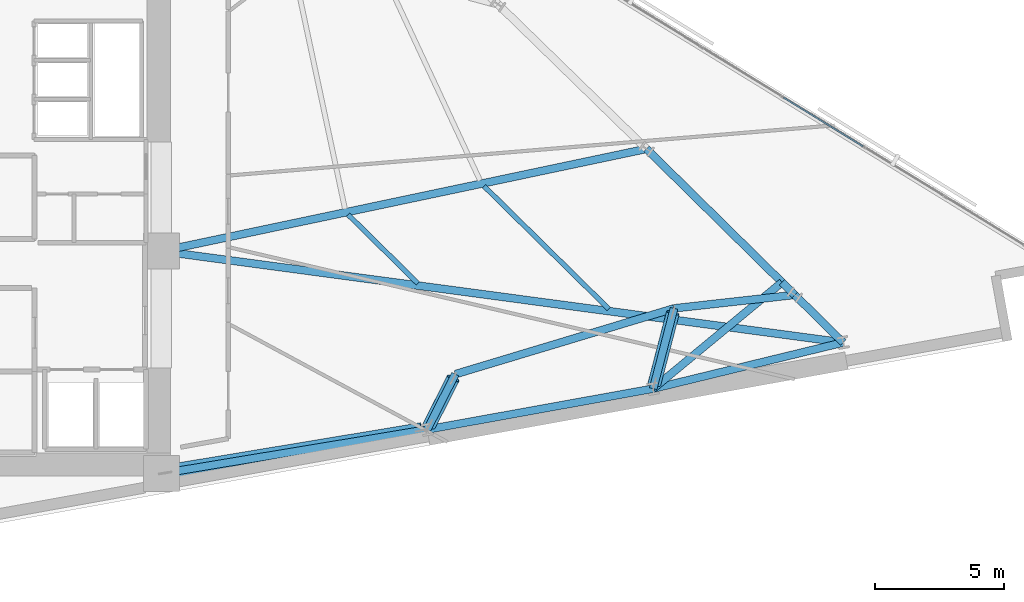
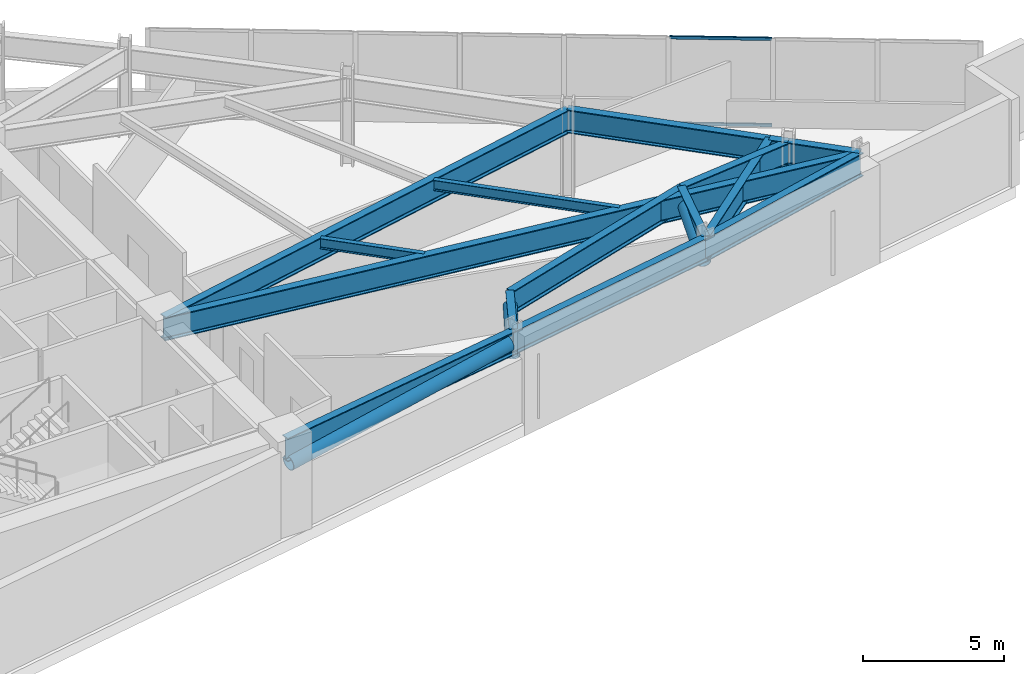
# One storey, part 3 of 19: 15 beams, 5 members, 1 element without a shape of its own.
"""IFC4 building model written with IfcOpenShell, lengths in metres."""

from ifc_helpers import new_model, si_unit, direction, frame, origin, origin_2d, place, context, subcontext, project, spatial, hollow_rectangle, hollow_circle, i_section, extrude, material, material_profile, profile_set, type_object, element, aggregate, save


model = new_model("IFC4")

# Units and contexts
model_context = context("Model", 3, precision=1e-05, world=origin(), true_north=direction((0.0, 1.0)))
body_context = subcontext(model_context, "Body", "Model", "MODEL_VIEW")
ifc_project = project(units=[si_unit("LENGTHUNIT", "METRE"), si_unit("AREAUNIT", "SQUARE_METRE"), si_unit("VOLUMEUNIT", "CUBIC_METRE"), si_unit("PLANEANGLEUNIT", "RADIAN"), si_unit("MASSUNIT", "GRAM", prefix="KILO")], contexts=[model_context])

# Site, building, storey
site_placement = place(None, origin())
site = spatial("IfcSite", under=ifc_project, at=site_placement, CompositionType="ELEMENT")
building_placement = place(site_placement, origin())
building = spatial("IfcBuilding", under=site, at=building_placement, Name="Narakoshi Arena Tower", CompositionType="ELEMENT")
storey_placement = place(building_placement, frame((0.0, 0.0, 128.10009765625)))
storey = spatial("IfcBuildingStorey", under=building, at=storey_placement, Name="L34", CompositionType="ELEMENT", Elevation=128.10009765625)

# Beams
ifc_material_1 = material(Name="Structural steel S355J2", Category="steel")
ifc_material_profile_1 = material_profile(ifc_material_1, i_section(OverallWidth=0.18994140625, OverallDepth=0.449951171875, WebThickness=0.009521484375, FlangeThickness=0.0146484375, FilletRadius=0.02099609375, at=origin_2d()), Name="IPE450")
ifc_profile_set_1 = profile_set([ifc_material_profile_1], Name="Structural steel S355J2")
beam_type_1 = type_object("IfcBeamType", Name="BM-SEC-450", PredefinedType="JOIST", material=ifc_profile_set_1)
beam_1_placement = place(storey_placement, frame((95.531494140625, 42.094970703125, 3.574951171875), z_axis=(-0.712564847826, 0.701606255419, 0.0), x_axis=(-0.701606255419, -0.712564847826, 0.0)))
element("IfcBeam", 1, at=beam_1_placement, inside=storey, type_object=beam_type_1, Name="L34 Composite Secondary Floor Joist 01", PredefinedType="JOIST", context=body_context, shape_type="SweptSolid", body=[
    extrude(i_section(OverallWidth=0.18994140625, OverallDepth=0.449951171875, WebThickness=0.009521484375, FlangeThickness=0.0146484375, FilletRadius=0.02099609375, at=origin_2d()), origin(), (0.0, 0.0, 1.0), 3.8095703125),
])
beam_2_placement = place(storey_placement, frame((102.957275390625, 41.100341796875, 3.574951171875), z_axis=(-0.712565992933, 0.701605092424, 0.0), x_axis=(-0.701605092424, -0.712565992933, 0.0)))
element("IfcBeam", 2, at=beam_2_placement, inside=storey, type_object=beam_type_1, Name="L34 Composite Secondary Floor Joist 02", PredefinedType="JOIST", context=body_context, shape_type="SweptSolid", body=[
    extrude(i_section(OverallWidth=0.18994140625, OverallDepth=0.449951171875, WebThickness=0.009521484375, FlangeThickness=0.0146484375, FilletRadius=0.02099609375, at=origin_2d()), origin(), (0.0, 0.0, 1.0), 6.815673828125),
])
ifc_material_2 = material(Name="Structural steel S460ML", Category="steel")
ifc_material_profile_2 = material_profile(ifc_material_2, i_section(OverallWidth=0.302001953125, OverallDepth=1.008056640625, WebThickness=0.02099609375, FlangeThickness=0.0400390625, FilletRadius=0.030029296875, at=origin_2d()), Name="HE1000M")
ifc_profile_set_2 = profile_set([ifc_material_profile_2], Name="Structural steel S460ML")
beam_type_2 = type_object("IfcBeamType", Name="BM-XFER-1000", PredefinedType="BEAM", material=ifc_profile_set_2)
beam_3_placement = place(storey_placement, frame((95.89013671875, 36.411865234375, 3.2958984375), z_axis=(0.984043032412, 0.177930633565, 0.0), x_axis=(-0.177930633565, 0.984043032412, 0.0)))
element("IfcBeam", 3, at=beam_3_placement, inside=storey, type_object=beam_type_2, Name="L34 Perimeter Transfer Ring Girder 01", PredefinedType="BEAM", context=body_context, shape_type="SweptSolid", body=[
    extrude(i_section(OverallWidth=0.302001953125, OverallDepth=1.008056640625, WebThickness=0.02099609375, FlangeThickness=0.0400390625, FilletRadius=0.030029296875, at=origin_2d()), origin(), (0.0, 0.0, 1.0), 8.933837890625),
])
beam_4_placement = place(storey_placement, frame((104.681396484375, 38.00146484375, 3.2958984375), z_axis=(0.971695296423, 0.236237700019, 0.0), x_axis=(-0.236237700019, 0.971695296423, 0.0)))
element("IfcBeam", 4, at=beam_4_placement, inside=storey, type_object=beam_type_2, Name="L34 Perimeter Transfer Ring Girder 02", PredefinedType="BEAM", context=body_context, shape_type="SweptSolid", body=[
    extrude(i_section(OverallWidth=0.302001953125, OverallDepth=1.008056640625, WebThickness=0.02099609375, FlangeThickness=0.0400390625, FilletRadius=0.030029296875, at=origin_2d()), origin(), (0.0, 0.0, 1.0), 7.604248046875),
])
beam_5_placement = place(storey_placement, frame((112.0703125, 39.7978515625, 3.2958984375), z_axis=(-0.712541924106, 0.70162953643, 0.0), x_axis=(-0.70162953643, -0.712541924106, 0.0)))
element("IfcBeam", 5, at=beam_5_placement, inside=storey, type_object=beam_type_2, Name="L34 Perimeter Transfer Ring Girder 03", PredefinedType="BEAM", context=body_context, shape_type="SweptSolid", body=[
    extrude(i_section(OverallWidth=0.302001953125, OverallDepth=1.008056640625, WebThickness=0.02099609375, FlangeThickness=0.0400390625, FilletRadius=0.030029296875, at=origin_2d()), origin(), (0.0, 0.0, 1.0), 2.639892578125),
])
beam_6_placement = place(storey_placement, frame((110.189208984375, 41.650146484375, 3.2958984375), z_axis=(-0.712543857268, 0.701627573196, 0.0), x_axis=(-0.701627573196, -0.712543857268, 0.0)))
element("IfcBeam", 6, at=beam_6_placement, inside=storey, type_object=beam_type_2, Name="L34 Perimeter Transfer Ring Girder 04", PredefinedType="BEAM", context=body_context, shape_type="SweptSolid", body=[
    extrude(i_section(OverallWidth=0.302001953125, OverallDepth=1.008056640625, WebThickness=0.02099609375, FlangeThickness=0.0400390625, FilletRadius=0.030029296875, at=origin_2d()), origin(), (0.0, 0.0, 1.0), 8.095947265625),
])
beam_7_placement = place(storey_placement, frame((85.550048828125, 34.699951171875, 3.2958984375), z_axis=(0.986570261116, 0.163337441762, 0.0), x_axis=(-0.163337441762, 0.986570261116, 0.0)))
element("IfcBeam", 7, at=beam_7_placement, inside=storey, type_object=beam_type_2, Name="L34 Lower Transfer Radial Girder 01", PredefinedType="BEAM", context=body_context, shape_type="SweptSolid", body=[
    extrude(i_section(OverallWidth=0.302001953125, OverallDepth=1.008056640625, WebThickness=0.02099609375, FlangeThickness=0.0400390625, FilletRadius=0.030029296875, at=origin_2d()), origin(), (0.0, 0.0, 1.0), 10.48095703125),
])
beam_8_placement = place(storey_placement, frame((95.89013671875, 36.411865234375, 3.2958984375), z_axis=(0.453106470933, 0.891456407234, 0.0), x_axis=(-0.891456407234, 0.453106470933, 0.0)))
element("IfcBeam", 8, at=beam_8_placement, inside=storey, type_object=beam_type_2, Name="L34 Block-Turn Transfer Node Girder 01-1", PredefinedType="BEAM", context=body_context, shape_type="SweptSolid", body=[
    extrude(i_section(OverallWidth=0.302001953125, OverallDepth=1.008056640625, WebThickness=0.02099609375, FlangeThickness=0.0400390625, FilletRadius=0.030029296875, at=origin_2d()), origin(), (0.0, 0.0, 1.0), 2.41552734375),
])
beam_9_placement = place(storey_placement, frame((104.681396484375, 38.00146484375, 3.2958984375), z_axis=(0.251581437198, 0.967836133061, 0.0), x_axis=(-0.967836133061, 0.251581437198, 0.0)))
element("IfcBeam", 9, at=beam_9_placement, inside=storey, type_object=beam_type_2, Name="L34 Block-Turn Transfer Node Girder 02-1", PredefinedType="BEAM", context=body_context, shape_type="SweptSolid", body=[
    extrude(i_section(OverallWidth=0.302001953125, OverallDepth=1.008056640625, WebThickness=0.02099609375, FlangeThickness=0.0400390625, FilletRadius=0.030029296875, at=origin_2d()), origin(), (0.0, 0.0, 1.0), 3.228515625),
])
beam_10_placement = place(storey_placement, frame((110.189208984375, 41.650146484375, 3.2958984375), z_axis=(-0.993832585367, -0.110890902522, 0.0), x_axis=(0.110890902522, -0.993832585367, 0.0)))
element("IfcBeam", 10, at=beam_10_placement, inside=storey, type_object=beam_type_2, Name="L34 Block-Turn Transfer Node Girder 02-2", PredefinedType="BEAM", context=body_context, shape_type="SweptSolid", body=[
    extrude(i_section(OverallWidth=0.302001953125, OverallDepth=1.008056640625, WebThickness=0.02099609375, FlangeThickness=0.0400390625, FilletRadius=0.030029296875, at=origin_2d()), origin(), (0.0, 0.0, 1.0), 4.724609375),
])
beam_11_placement = place(storey_placement, frame((110.189208984375, 41.650146484375, 3.2958984375), z_axis=(-0.712515625622, 0.701656242931, 0.0), x_axis=(-0.701656242931, -0.712515625622, 0.0)))
element("IfcBeam", 11, at=beam_11_placement, inside=storey, type_object=beam_type_2, Name="L34 Block-Turn Transfer Node Girder 03-1", PredefinedType="BEAM", context=body_context, shape_type="SweptSolid", body=[
    extrude(i_section(OverallWidth=0.302001953125, OverallDepth=1.008056640625, WebThickness=0.02099609375, FlangeThickness=0.0400390625, FilletRadius=0.030029296875, at=origin_2d()), origin(), (0.0, 0.0, 1.0), 0.697021484375),
])
beam_12_placement = place(storey_placement, frame((104.681396484375, 38.00146484375, 3.2958984375), z_axis=(0.771114110806, 0.636696967258, 0.0), x_axis=(-0.636696967258, 0.771114110806, 0.0)))
element("IfcBeam", 12, at=beam_12_placement, inside=storey, type_object=beam_type_2, Name="L34 Block-Turn Transfer Node Girder 03-2", PredefinedType="BEAM", context=body_context, shape_type="SweptSolid", body=[
    extrude(i_section(OverallWidth=0.302001953125, OverallDepth=1.008056640625, WebThickness=0.02099609375, FlangeThickness=0.0400390625, FilletRadius=0.030029296875, at=origin_2d()), origin(), (0.0, 0.0, 1.0), 6.498779296875),
])
beam_13_placement = place(storey_placement, frame((96.984619140625, 38.565185546875, 3.2958984375), z_axis=(0.957568042752, 0.288207292585, 0.0), x_axis=(-0.288207292585, 0.957568042752, 0.0)))
element("IfcBeam", 13, at=beam_13_placement, inside=storey, type_object=beam_type_2, Name="L34 Upper-Block Transfer Ring Girder 01", PredefinedType="BEAM", context=body_context, shape_type="SweptSolid", body=[
    extrude(i_section(OverallWidth=0.302001953125, OverallDepth=1.008056640625, WebThickness=0.02099609375, FlangeThickness=0.0400390625, FilletRadius=0.030029296875, at=origin_2d()), origin(), (0.0, 0.0, 1.0), 8.885986328125),
])
beam_14_placement = place(storey_placement, frame((85.550048828125, 43.35009765625, 3.2958984375), z_axis=(0.991148352242, -0.132758968996, 0.0), x_axis=(0.132758968996, 0.991148352242, 0.0)))
element("IfcBeam", 14, at=beam_14_placement, inside=storey, type_object=beam_type_2, Name="L34 Radial Primary Floor Girder 03", PredefinedType="BEAM", context=body_context, shape_type="SweptSolid", body=[
    extrude(i_section(OverallWidth=0.302001953125, OverallDepth=1.008056640625, WebThickness=0.02099609375, FlangeThickness=0.0400390625, FilletRadius=0.030029296875, at=origin_2d()), origin(), (0.0, 0.0, 1.0), 26.757080078125),
])
beam_15_placement = place(storey_placement, frame((85.550048828125, 43.35009765625, 3.2958984375), z_axis=(0.978468582694, 0.206395815562, 0.0), x_axis=(-0.206395815562, 0.978468582694, 0.0)))
element("IfcBeam", 15, at=beam_15_placement, inside=storey, type_object=beam_type_2, Name="L34 Radial Primary Floor Girder 05", PredefinedType="BEAM", context=body_context, shape_type="SweptSolid", body=[
    extrude(i_section(OverallWidth=0.302001953125, OverallDepth=1.008056640625, WebThickness=0.02099609375, FlangeThickness=0.0400390625, FilletRadius=0.030029296875, at=origin_2d()), origin(), (0.0, 0.0, 1.0), 19.28564453125),
])

# Members
ifc_material_profile_3 = material_profile(ifc_material_2, hollow_circle(Radius=0.25390625, WallThickness=0.02001953125, at=origin_2d()), Name="CHS508x20")
ifc_profile_set_3 = profile_set([ifc_material_profile_3], Name="Structural steel S460ML")
member_type_1 = type_object("IfcMemberType", Name="MEM-BLT-508", PredefinedType="BRACE", material=ifc_profile_set_3)
member_1_placement = place(storey_placement, frame((95.9716796875, 36.572265625, 2.5498046875), z_axis=(0.42581773651, 0.838014664458, 0.341190089873), x_axis=(-0.891510348713, 0.453000329069, 0.0)))
element("IfcMember", 16, at=member_1_placement, inside=storey, type_object=member_type_1, Name="L34 Perimeter Belt-Truss Diagonal 01", PredefinedType="BRACE", context=body_context, shape_type="SweptSolid", body=[
    extrude(hollow_circle(Radius=0.25390625, WallThickness=0.02001953125, at=origin_2d()), origin(), (0.0, 0.0, 1.0), 2.186767578125),
])
member_2_placement = place(storey_placement, frame((104.7265625, 38.17578125, 2.5498046875), z_axis=(0.24357245831, 0.936646068125, 0.251727234561), x_axis=(-0.967811312726, 0.25167690192, 0.0)))
element("IfcMember", 17, at=member_2_placement, inside=storey, type_object=member_type_1, Name="L34 Perimeter Belt-Truss Diagonal 02", PredefinedType="BRACE", context=body_context, shape_type="SweptSolid", body=[
    extrude(hollow_circle(Radius=0.25390625, WallThickness=0.02001953125, at=origin_2d()), origin(), (0.0, 0.0, 1.0), 2.9638671875),
])
ifc_material_profile_4 = material_profile(ifc_material_2, hollow_circle(Radius=0.304931640625, WallThickness=0.02490234375, at=origin_2d()), Name="CHS610x25")
ifc_profile_set_4 = profile_set([ifc_material_profile_4], Name="Structural steel S460ML")
member_type_2 = type_object("IfcMemberType", Name="MEM-OUT-610", PredefinedType="BRACE", material=ifc_profile_set_4)
member_3_placement = place(storey_placement, frame((85.697998046875, 34.724609375, 2.599853515625), z_axis=(0.984242687294, 0.162940367538, 0.068678738594), x_axis=(-0.163326008357, 0.986572153973, 0.0)))
element("IfcMember", 18, at=member_3_placement, inside=storey, type_object=member_type_2, Name="L34 Core-to-Perimeter Outrigger Truss Diagonal 01", PredefinedType="BRACE", context=body_context, shape_type="SweptSolid", body=[
    extrude(hollow_circle(Radius=0.304931640625, WallThickness=0.02490234375, at=origin_2d()), origin(), (0.0, 0.0, 1.0), 10.134765625),
])

# Curtain wall, members
ifc_material_3 = material(Name="Anodised bronze aluminium 6063-T6", Category="aluminium")
curtain_wall_type = type_object("IfcCurtainWallType", Name="CW-HYP-LOW", PredefinedType="NOTDEFINED", material=ifc_material_3)
curtain_wall_placement = place(storey_placement, origin())
curtain_wall = element("IfcCurtainWall", 19, at=curtain_wall_placement, inside=storey, type_object=curtain_wall_type, Name="L34 Folded Hypotenuse Curtain Wall 1-1", PredefinedType="NOTDEFINED")
ifc_material_profile_5 = material_profile(ifc_material_3, hollow_rectangle(XDim=0.06494140625, YDim=0.1298828125, WallThickness=0.00390625, OuterFilletRadius=0.0048828125, at=origin_2d()), Name="TRN130x65x4")
ifc_profile_set_5 = profile_set([ifc_material_profile_5], Name="Anodised bronze aluminium 6063-T6")
member_type_3 = type_object("IfcMemberType", Name="MEM-TRN-130", PredefinedType="USERDEFINED", material=ifc_profile_set_5)
member_4_placement = place(storey_placement, frame((112.8447265625, 47.428955078125, 0.032470703125), z_axis=(-0.852114955894, 0.523354661717, 0.0), x_axis=(-0.523354661717, -0.852114955894, 0.0)))
member_4 = element("IfcMember", 20, at=member_4_placement, type_object=member_type_3, Name="CW-01 transom 3.1", ObjectType="TRANSOM", PredefinedType="USERDEFINED", context=body_context, shape_type="SweptSolid", body=[
    extrude(hollow_rectangle(XDim=0.06494140625, YDim=0.1298828125, WallThickness=0.00390625, OuterFilletRadius=0.0048828125, at=origin_2d()), origin(), (0.0, 0.0, 1.0), 3.632080078125),
])
member_5_placement = place(storey_placement, frame((112.8447265625, 47.428955078125, 3.767333984375), z_axis=(-0.852114955894, 0.523354661717, 0.0), x_axis=(-0.523354661717, -0.852114955894, 0.0)))
member_5 = element("IfcMember", 21, at=member_5_placement, type_object=member_type_3, Name="CW-01 transom 3.2", ObjectType="TRANSOM", PredefinedType="USERDEFINED", context=body_context, shape_type="SweptSolid", body=[
    extrude(hollow_rectangle(XDim=0.06494140625, YDim=0.1298828125, WallThickness=0.00390625, OuterFilletRadius=0.0048828125, at=origin_2d()), origin(), (0.0, 0.0, 1.0), 3.632080078125),
])
aggregate(curtain_wall, [member_4, member_5])

save(model, "model.ifc")
